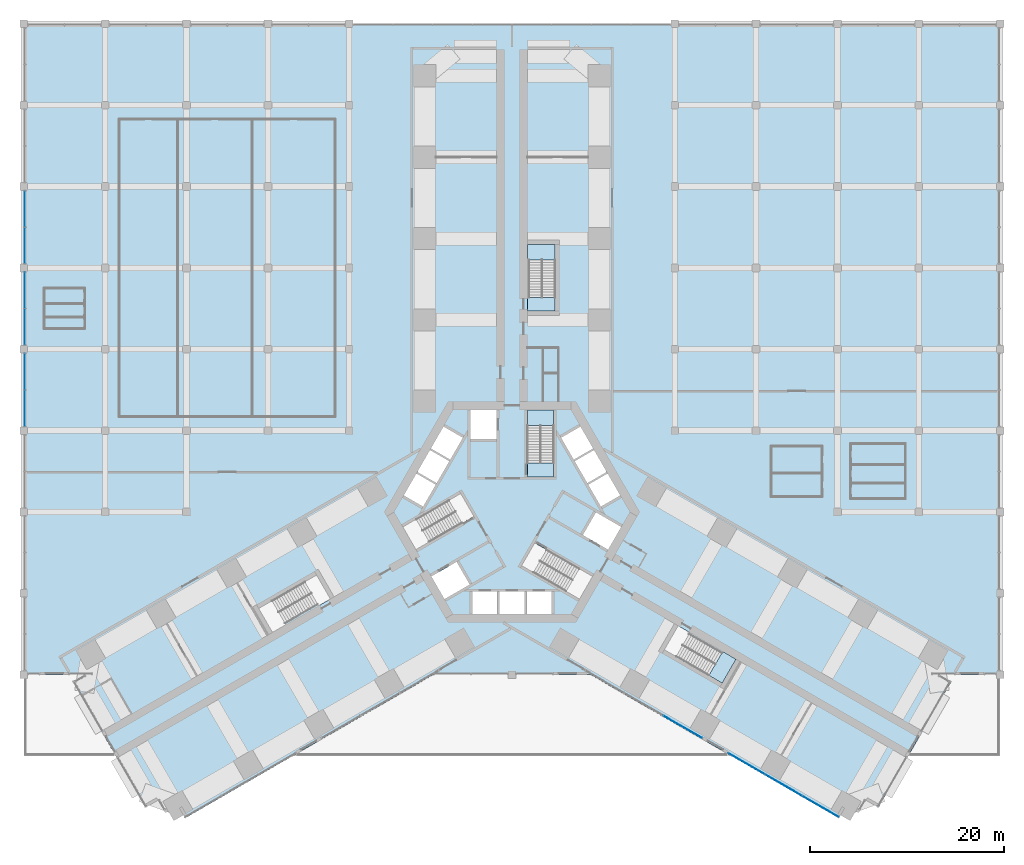
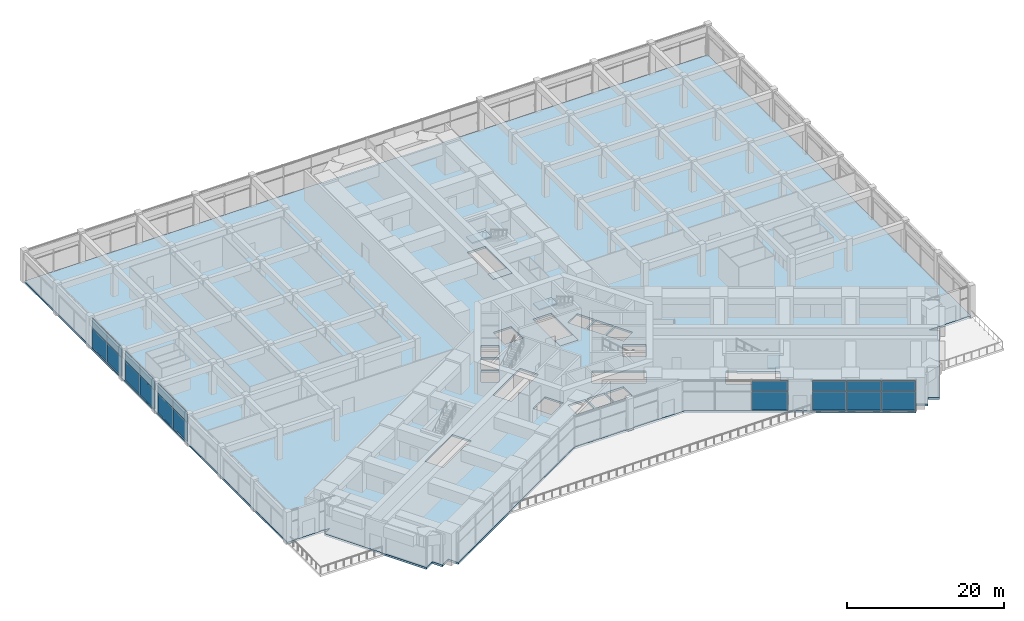
# One storey, part 24 of 34: 20 plates, 6 slabs, 8 elements without a shape of their own.
"""IFC4 building model written with IfcOpenShell, lengths in metres."""

from ifc_helpers import new_model, si_unit, direction, frame, origin, origin_2d, place, context, subcontext, project, spatial, polyline, rectangle, outline, extrude, material, layer, layer_set, type_object, element, aggregate, save


model = new_model("IFC4")

# Units and contexts
model_context = context("Model", 3, precision=1e-05, world=origin(), true_north=direction((0.0, 1.0)))
body_context = subcontext(model_context, "Body", "Model", "MODEL_VIEW")
ifc_project = project(units=[si_unit("LENGTHUNIT", "METRE"), si_unit("AREAUNIT", "SQUARE_METRE"), si_unit("VOLUMEUNIT", "CUBIC_METRE"), si_unit("PLANEANGLEUNIT", "RADIAN"), si_unit("MASSUNIT", "GRAM", prefix="KILO")], contexts=[model_context])

# Site, building, storey
site_placement = place(None, origin())
site = spatial("IfcSite", under=ifc_project, at=site_placement, CompositionType="ELEMENT")
building_placement = place(site_placement, origin())
building = spatial("IfcBuilding", under=site, at=building_placement, Name="Impinga Residences", CompositionType="ELEMENT")
storey_placement = place(building_placement, frame((0.0, 0.0, 16.0)))
storey = spatial("IfcBuildingStorey", under=building, at=storey_placement, Name="L03", CompositionType="ELEMENT", Elevation=16.0)

# Curtain wall, plates
ifc_material_1 = material(Name="Aluminium stick curtain wall", Category="aluminium")
curtain_wall_type = type_object("IfcCurtainWallType", Name="CW1 podium amenity curtain wall", PredefinedType="USERDEFINED", material=ifc_material_1)
curtain_wall_1_placement = place(storey_placement, origin())
curtain_wall_1 = element("IfcCurtainWall", 1, at=curtain_wall_1_placement, inside=storey, type_object=curtain_wall_type, Name="Curtain wall CW1 L03", ObjectType="STICK CURTAIN WALL", PredefinedType="USERDEFINED")
ifc_material_2 = material(Name="Clear double glazing", Category="glass")
ifc_layer_1 = layer(ifc_material_2, 0.028076171875)
ifc_layer_set_1 = layer_set([ifc_layer_1], Name="CW1-P clear double glazed panel 28")
plate_type = type_object("IfcPlateType", Name="CW1-P clear double glazed panel 28", PredefinedType="CURTAIN_PANEL", material=ifc_layer_set_1)
plate_1_placement = place(storey_placement, frame((-50.300048828125, 10.716552734375, 0.06005859375), z_axis=(0.0, 0.0, 1.0), x_axis=(0.0, 1.0, 0.0)))
plate_1 = element("IfcPlate", 2, at=plate_1_placement, type_object=plate_type, Name="CW1 panel 1.1", PredefinedType="CURTAIN_PANEL", context=body_context, shape_type="SweptSolid", body=[
    extrude(rectangle(XDim=3.70703125, YDim=0.028076171875, at=origin_2d()), origin(), (0.0, 0.0, 1.0), 2.909912109375),
])
plate_2_placement = place(storey_placement, frame((-50.300048828125, 10.716552734375, 3.02978515625), z_axis=(0.0, 0.0, 1.0), x_axis=(0.0, 1.0, 0.0)))
plate_2 = element("IfcPlate", 3, at=plate_2_placement, type_object=plate_type, Name="CW1 panel 1.2", PredefinedType="CURTAIN_PANEL", context=body_context, shape_type="SweptSolid", body=[
    extrude(rectangle(XDim=3.70703125, YDim=0.028076171875, at=origin_2d()), origin(), (0.0, 0.0, 1.0), 1.610107421875),
])
plate_3_placement = place(storey_placement, frame((-50.300048828125, 14.4833984375, 0.06005859375), z_axis=(0.0, 0.0, 1.0), x_axis=(0.0, 1.0, 0.0)))
plate_3 = element("IfcPlate", 4, at=plate_3_placement, type_object=plate_type, Name="CW1 panel 2.1", PredefinedType="CURTAIN_PANEL", context=body_context, shape_type="SweptSolid", body=[
    extrude(rectangle(XDim=3.70703125, YDim=0.028076171875, at=origin_2d()), origin(), (0.0, 0.0, 1.0), 2.909912109375),
])
plate_4_placement = place(storey_placement, frame((-50.300048828125, 14.4833984375, 3.02978515625), z_axis=(0.0, 0.0, 1.0), x_axis=(0.0, 1.0, 0.0)))
plate_4 = element("IfcPlate", 5, at=plate_4_placement, type_object=plate_type, Name="CW1 panel 2.2", PredefinedType="CURTAIN_PANEL", context=body_context, shape_type="SweptSolid", body=[
    extrude(rectangle(XDim=3.70703125, YDim=0.028076171875, at=origin_2d()), origin(), (0.0, 0.0, 1.0), 1.610107421875),
])
aggregate(curtain_wall_1, [plate_1, plate_2, plate_3, plate_4])

curtain_wall_2_placement = place(storey_placement, origin())
curtain_wall_2 = element("IfcCurtainWall", 6, at=curtain_wall_2_placement, inside=storey, type_object=curtain_wall_type, Name="Curtain wall CW1 L03", ObjectType="STICK CURTAIN WALL", PredefinedType="USERDEFINED")
plate_5_placement = place(storey_placement, frame((-50.300048828125, 19.116455078125, 0.06005859375), z_axis=(0.0, 0.0, 1.0), x_axis=(0.0, 1.0, 0.0)))
plate_5 = element("IfcPlate", 7, at=plate_5_placement, type_object=plate_type, Name="CW1 panel 1.1", PredefinedType="CURTAIN_PANEL", context=body_context, shape_type="SweptSolid", body=[
    extrude(rectangle(XDim=3.70703125, YDim=0.028076171875, at=origin_2d()), origin(), (0.0, 0.0, 1.0), 2.909912109375),
])
plate_6_placement = place(storey_placement, frame((-50.300048828125, 19.116455078125, 3.02978515625), z_axis=(0.0, 0.0, 1.0), x_axis=(0.0, 1.0, 0.0)))
plate_6 = element("IfcPlate", 8, at=plate_6_placement, type_object=plate_type, Name="CW1 panel 1.2", PredefinedType="CURTAIN_PANEL", context=body_context, shape_type="SweptSolid", body=[
    extrude(rectangle(XDim=3.70703125, YDim=0.028076171875, at=origin_2d()), origin(), (0.0, 0.0, 1.0), 1.610107421875),
])
plate_7_placement = place(storey_placement, frame((-50.300048828125, 22.883544921875, 0.06005859375), z_axis=(0.0, 0.0, 1.0), x_axis=(0.0, 1.0, 0.0)))
plate_7 = element("IfcPlate", 9, at=plate_7_placement, type_object=plate_type, Name="CW1 panel 2.1", PredefinedType="CURTAIN_PANEL", context=body_context, shape_type="SweptSolid", body=[
    extrude(rectangle(XDim=3.70703125, YDim=0.028076171875, at=origin_2d()), origin(), (0.0, 0.0, 1.0), 2.909912109375),
])
plate_8_placement = place(storey_placement, frame((-50.300048828125, 22.883544921875, 3.02978515625), z_axis=(0.0, 0.0, 1.0), x_axis=(0.0, 1.0, 0.0)))
plate_8 = element("IfcPlate", 10, at=plate_8_placement, type_object=plate_type, Name="CW1 panel 2.2", PredefinedType="CURTAIN_PANEL", context=body_context, shape_type="SweptSolid", body=[
    extrude(rectangle(XDim=3.70703125, YDim=0.028076171875, at=origin_2d()), origin(), (0.0, 0.0, 1.0), 1.610107421875),
])
aggregate(curtain_wall_2, [plate_5, plate_6, plate_7, plate_8])

curtain_wall_3_placement = place(storey_placement, origin())
curtain_wall_3 = element("IfcCurtainWall", 11, at=curtain_wall_3_placement, inside=storey, type_object=curtain_wall_type, Name="Curtain wall CW1 L03", ObjectType="STICK CURTAIN WALL", PredefinedType="USERDEFINED")
plate_9_placement = place(storey_placement, frame((-50.300048828125, 27.5166015625, 0.06005859375), z_axis=(0.0, 0.0, 1.0), x_axis=(0.0, 1.0, 0.0)))
plate_9 = element("IfcPlate", 12, at=plate_9_placement, type_object=plate_type, Name="CW1 panel 1.1", PredefinedType="CURTAIN_PANEL", context=body_context, shape_type="SweptSolid", body=[
    extrude(rectangle(XDim=3.70703125, YDim=0.028076171875, at=origin_2d()), origin(), (0.0, 0.0, 1.0), 2.909912109375),
])
plate_10_placement = place(storey_placement, frame((-50.300048828125, 27.5166015625, 3.02978515625), z_axis=(0.0, 0.0, 1.0), x_axis=(0.0, 1.0, 0.0)))
plate_10 = element("IfcPlate", 13, at=plate_10_placement, type_object=plate_type, Name="CW1 panel 1.2", PredefinedType="CURTAIN_PANEL", context=body_context, shape_type="SweptSolid", body=[
    extrude(rectangle(XDim=3.70703125, YDim=0.028076171875, at=origin_2d()), origin(), (0.0, 0.0, 1.0), 1.610107421875),
])
plate_11_placement = place(storey_placement, frame((-50.300048828125, 31.283447265625, 0.06005859375), z_axis=(0.0, 0.0, 1.0), x_axis=(0.0, 1.0, 0.0)))
plate_11 = element("IfcPlate", 14, at=plate_11_placement, type_object=plate_type, Name="CW1 panel 2.1", PredefinedType="CURTAIN_PANEL", context=body_context, shape_type="SweptSolid", body=[
    extrude(rectangle(XDim=3.70703125, YDim=0.028076171875, at=origin_2d()), origin(), (0.0, 0.0, 1.0), 2.909912109375),
])
plate_12_placement = place(storey_placement, frame((-50.300048828125, 31.283447265625, 3.02978515625), z_axis=(0.0, 0.0, 1.0), x_axis=(0.0, 1.0, 0.0)))
plate_12 = element("IfcPlate", 15, at=plate_12_placement, type_object=plate_type, Name="CW1 panel 2.2", PredefinedType="CURTAIN_PANEL", context=body_context, shape_type="SweptSolid", body=[
    extrude(rectangle(XDim=3.70703125, YDim=0.028076171875, at=origin_2d()), origin(), (0.0, 0.0, 1.0), 1.610107421875),
])
aggregate(curtain_wall_3, [plate_9, plate_10, plate_11, plate_12])

curtain_wall_4_placement = place(storey_placement, origin())
curtain_wall_4 = element("IfcCurtainWall", 16, at=curtain_wall_4_placement, inside=storey, type_object=curtain_wall_type, Name="Curtain wall CW1 L03", ObjectType="STICK CURTAIN WALL", PredefinedType="USERDEFINED")
plate_13_placement = place(storey_placement, frame((31.864501953125, -30.40576171875, 0.06005859375), z_axis=(0.0, 0.0, 1.0), x_axis=(-0.866025412354, 0.499999985157, 0.0)))
plate_13 = element("IfcPlate", 17, at=plate_13_placement, type_object=plate_type, Name="CW1 panel 1.1", PredefinedType="CURTAIN_PANEL", context=body_context, shape_type="SweptSolid", body=[
    extrude(rectangle(XDim=4.346435546875, YDim=0.028076171875, at=origin_2d()), origin(), (0.0, 0.0, 1.0), 2.909912109375),
])
plate_14_placement = place(storey_placement, frame((31.864501953125, -30.40576171875, 3.02978515625), z_axis=(0.0, 0.0, 1.0), x_axis=(-0.866025412354, 0.499999985157, 0.0)))
plate_14 = element("IfcPlate", 18, at=plate_14_placement, type_object=plate_type, Name="CW1 panel 1.2", PredefinedType="CURTAIN_PANEL", context=body_context, shape_type="SweptSolid", body=[
    extrude(rectangle(XDim=4.346435546875, YDim=0.028076171875, at=origin_2d()), origin(), (0.0, 0.0, 1.0), 1.610107421875),
])
plate_15_placement = place(storey_placement, frame((28.035400390625, -28.195068359375, 0.06005859375), z_axis=(0.0, 0.0, 1.0), x_axis=(-0.866025412354, 0.499999985157, 0.0)))
plate_15 = element("IfcPlate", 19, at=plate_15_placement, type_object=plate_type, Name="CW1 panel 2.1", PredefinedType="CURTAIN_PANEL", context=body_context, shape_type="SweptSolid", body=[
    extrude(rectangle(XDim=4.37646484375, YDim=0.028076171875, at=origin_2d()), origin(), (0.0, 0.0, 1.0), 2.909912109375),
])
plate_16_placement = place(storey_placement, frame((28.035400390625, -28.195068359375, 3.02978515625), z_axis=(0.0, 0.0, 1.0), x_axis=(-0.866025412354, 0.499999985157, 0.0)))
plate_16 = element("IfcPlate", 20, at=plate_16_placement, type_object=plate_type, Name="CW1 panel 2.2", PredefinedType="CURTAIN_PANEL", context=body_context, shape_type="SweptSolid", body=[
    extrude(rectangle(XDim=4.37646484375, YDim=0.028076171875, at=origin_2d()), origin(), (0.0, 0.0, 1.0), 1.610107421875),
])
plate_17_placement = place(storey_placement, frame((24.20654296875, -25.984619140625, 0.06005859375), z_axis=(0.0, 0.0, 1.0), x_axis=(-0.866025412354, 0.499999985157, 0.0)))
plate_17 = element("IfcPlate", 21, at=plate_17_placement, type_object=plate_type, Name="CW1 panel 3.1", PredefinedType="CURTAIN_PANEL", context=body_context, shape_type="SweptSolid", body=[
    extrude(rectangle(XDim=4.346435546875, YDim=0.028076171875, at=origin_2d()), origin(), (0.0, 0.0, 1.0), 2.909912109375),
])
plate_18_placement = place(storey_placement, frame((24.20654296875, -25.984619140625, 3.02978515625), z_axis=(0.0, 0.0, 1.0), x_axis=(-0.866025412354, 0.499999985157, 0.0)))
plate_18 = element("IfcPlate", 22, at=plate_18_placement, type_object=plate_type, Name="CW1 panel 3.2", PredefinedType="CURTAIN_PANEL", context=body_context, shape_type="SweptSolid", body=[
    extrude(rectangle(XDim=4.346435546875, YDim=0.028076171875, at=origin_2d()), origin(), (0.0, 0.0, 1.0), 1.610107421875),
])
aggregate(curtain_wall_4, [plate_13, plate_14, plate_15, plate_16, plate_17, plate_18])

curtain_wall_5_placement = place(storey_placement, origin())
curtain_wall_5 = element("IfcCurtainWall", 23, at=curtain_wall_5_placement, inside=storey, type_object=curtain_wall_type, Name="Curtain wall CW1 L03", ObjectType="STICK CURTAIN WALL", PredefinedType="USERDEFINED")
plate_19_placement = place(storey_placement, frame((17.6328125, -22.189208984375, 0.06005859375), z_axis=(0.0, 0.0, 1.0), x_axis=(-0.866025380702, 0.500000039979, 0.0)))
plate_19 = element("IfcPlate", 24, at=plate_19_placement, type_object=plate_type, Name="CW1 panel 1.1", PredefinedType="CURTAIN_PANEL", context=body_context, shape_type="SweptSolid", body=[
    extrude(rectangle(XDim=4.59521484375, YDim=0.028076171875, at=origin_2d()), origin(), (0.0, 0.0, 1.0), 2.909912109375),
])
plate_20_placement = place(storey_placement, frame((17.6328125, -22.189208984375, 3.02978515625), z_axis=(0.0, 0.0, 1.0), x_axis=(-0.866025380702, 0.500000039979, 0.0)))
plate_20 = element("IfcPlate", 25, at=plate_20_placement, type_object=plate_type, Name="CW1 panel 1.2", PredefinedType="CURTAIN_PANEL", context=body_context, shape_type="SweptSolid", body=[
    extrude(rectangle(XDim=4.59521484375, YDim=0.028076171875, at=origin_2d()), origin(), (0.0, 0.0, 1.0), 1.610107421875),
])
aggregate(curtain_wall_5, [plate_19, plate_20])

# Slab
ifc_material_3 = material(Name="Concrete C60/75", Category="concrete")
ifc_layer_2 = layer(ifc_material_3, 0.300048828125)
ifc_layer_set_2 = layer_set([ifc_layer_2], Name="Concrete C60/75")
slab_type_1 = type_object("IfcSlabType", Name="FS2 podium, plant and crown floor slab 300", PredefinedType="FLOOR", material=ifc_layer_set_2)
slab_1_placement = place(storey_placement, frame((0.0, 0.0, -0.300048828125)))
element("IfcSlab", 26, at=slab_1_placement, inside=storey, type_object=slab_type_1, Name="Floor slab FS2 L03", PredefinedType="FLOOR", context=body_context, shape_type="SweptSolid", body=[
    extrude(outline(polyline([(-35.797607421875, -31.06005859375), (-36.547607421875, -29.760986328125), (-37.846435546875, -30.510986328125), (-45.346435546875, -17.5205078125), (-44.098388671875, -16.800048828125), (-50.39990234375, -16.800048828125), (-50.39990234375, 50.39990234375), (50.39990234375, 50.39990234375), (50.39990234375, -16.800048828125), (44.098388671875, -16.800048828125), (45.346435546875, -17.5205078125), (37.846435546875, -30.510986328125), (36.547607421875, -29.760986328125), (35.797607421875, -31.06005859375), (34.49853515625, -30.31005859375), (33.74853515625, -31.609130859375), (8.098388671875, -16.800048828125), (-8.098388671875, -16.800048828125), (-33.74853515625, -31.609130859375), (-34.49853515625, -30.31005859375), (-35.797607421875, -31.06005859375)]), holes=[polyline([(-21.391357421875, -7.2119140625), (-26.154541015625, -9.9619140625), (-24.8046875, -12.30029296875), (-20.04150390625, -9.55029296875), (-19.966552734375, -9.68017578125), (-18.754150390625, -8.980224609375), (-18.8291015625, -8.850341796875), (-18.8291015625, -8.850341796875), (-20.178955078125, -6.511962890625), (-21.391357421875, -7.2119140625), (-21.391357421875, -7.2119140625)]), polyline([(-1.5, -8.2314453125), (-4.10009765625, -8.2314453125), (-4.10009765625, -10.531494140625), (-1.5, -10.531494140625), (-1.5, -8.2314453125)]), polyline([(1.300048828125, -8.2314453125), (-1.300048828125, -8.2314453125), (-1.300048828125, -10.531494140625), (1.300048828125, -10.531494140625), (1.300048828125, -8.2314453125)]), polyline([(1.5, -8.2314453125), (1.5, -10.531494140625), (4.10009765625, -10.531494140625), (4.10009765625, -8.2314453125), (1.5, -8.2314453125)]), polyline([(-5.72119140625, -5.150634765625), (-8.320556640625, -6.6513671875), (-6.970458984375, -8.98974609375), (-4.37109375, -7.489013671875), (-5.72119140625, -5.150634765625)]), polyline([(-3.943603515625, -0.429443359375), (-5.293701171875, 1.908935546875), (-11.2705078125, -1.541748046875), (-9.920654296875, -3.880126953125), (-3.943603515625, -0.429443359375)]), polyline([(-9.1787109375, 0.56494140625), (-7.878662109375, 2.816650390625), (-9.87060546875, 3.966796875), (-11.170654296875, 1.715087890625), (-9.1787109375, 0.56494140625)]), polyline([(-6.478759765625, 5.24169921875), (-8.470458984375, 6.3916015625), (-9.7705078125, 4.139892578125), (-7.77880859375, 2.989990234375), (-6.478759765625, 5.24169921875)]), polyline([(-6.378662109375, 5.414794921875), (-5.07861328125, 7.66650390625), (-7.070556640625, 8.81640625), (-8.37060546875, 6.564697265625), (-6.378662109375, 5.414794921875)]), polyline([(-4.300048828125, 7.530029296875), (-1.60009765625, 7.530029296875), (-1.60009765625, 10.531494140625), (-4.300048828125, 10.531494140625), (-4.300048828125, 7.530029296875)]), polyline([(15.72900390625, -14.219482421875), (21.70458984375, -17.669677734375), (23.0546875, -15.331298828125), (18.29150390625, -12.581298828125), (18.366455078125, -12.451416015625), (17.154052734375, -11.75146484375), (15.72900390625, -14.219482421875)]), polyline([(0.99365234375, -5.538818359375), (6.970458984375, -8.98974609375), (8.320556640625, -6.6513671875), (2.34375, -3.20068359375), (0.99365234375, -5.538818359375)]), polyline([(8.671142578125, -0.041015625), (7.3212890625, -2.37939453125), (9.920654296875, -3.880126953125), (11.2705078125, -1.541748046875), (8.671142578125, -0.041015625)]), polyline([(7.878662109375, 2.816650390625), (9.1787109375, 0.56494140625), (11.170654296875, 1.715087890625), (9.87060546875, 3.966796875), (7.878662109375, 2.816650390625)]), polyline([(7.77880859375, 2.989990234375), (9.7705078125, 4.139892578125), (8.470458984375, 6.3916015625), (6.478759765625, 5.24169921875), (7.77880859375, 2.989990234375)]), polyline([(1.60009765625, 3.6298828125), (4.300048828125, 3.6298828125), (4.300048828125, 10.531494140625), (1.60009765625, 10.531494140625), (1.60009765625, 3.6298828125)]), polyline([(5.07861328125, 7.66650390625), (6.378662109375, 5.414794921875), (8.37060546875, 6.564697265625), (7.070556640625, 8.81640625), (5.07861328125, 7.66650390625)]), polyline([(1.75, 22.131591796875), (1.60009765625, 22.131591796875), (1.60009765625, 20.7314453125), (1.75, 20.7314453125), (4.449951171875, 20.7314453125), (4.449951171875, 22.131591796875), (4.449951171875, 27.631591796875), (1.75, 27.631591796875), (1.75, 22.131591796875)])]), origin(), (0.0, 0.0, 1.0), 0.300048828125),
])

# Stair, slabs
ifc_material_4 = material(Name="Concrete C40/50", Category="concrete")
stair_type_1 = type_object("IfcStairType", Name="STR core stair 5000 storey, 30 risers", PredefinedType="HALF_TURN_STAIR", material=ifc_material_4)
stair_1_placement = place(storey_placement, origin())
stair_1 = element("IfcStair", 27, at=stair_1_placement, inside=storey, type_object=stair_type_1, Name="Stair ST1 L03", PredefinedType="HALF_TURN_STAIR")
ifc_layer_3 = layer(ifc_material_4, 0.199951171875)
ifc_layer_set_3 = layer_set([ifc_layer_3], Name="Concrete C40/50")
slab_type_2 = type_object("IfcSlabType", Name="LS1 stair landing 200", PredefinedType="LANDING", material=ifc_layer_set_3)
slab_2_placement = place(storey_placement, frame((0.0, 0.0, -0.199951171875)))
slab_2 = element("IfcSlab", 28, at=slab_2_placement, type_object=slab_type_2, Name="ST1 landing 1", PredefinedType="LANDING", context=body_context, shape_type="SweptSolid", body=[
    extrude(outline(polyline([(1.60009765625, 3.6298828125), (4.300048828125, 3.6298828125), (4.300048828125, 5.0400390625), (1.60009765625, 5.0400390625), (1.60009765625, 3.6298828125)])), origin(), (0.0, 0.0, 1.0), 0.199951171875),
])
slab_3_placement = place(storey_placement, frame((0.0, 0.0, 2.300048828125)))
slab_3 = element("IfcSlab", 29, at=slab_3_placement, type_object=slab_type_2, Name="ST1 landing 2", PredefinedType="LANDING", context=body_context, shape_type="SweptSolid", body=[
    extrude(outline(polyline([(1.60009765625, 8.93994140625), (4.300048828125, 8.93994140625), (4.300048828125, 10.531494140625), (1.60009765625, 10.531494140625), (1.60009765625, 8.93994140625)])), origin(), (0.0, 0.0, 1.0), 0.199951171875),
])
aggregate(stair_1, [slab_2, slab_3])

stair_type_2 = type_object("IfcStairType", Name="STR wing stair 5000 storey, 30 risers", PredefinedType="HALF_TURN_STAIR", material=ifc_material_4)
stair_2_placement = place(storey_placement, origin())
stair_2 = element("IfcStair", 30, at=stair_2_placement, inside=storey, type_object=stair_type_2, Name="Stair WS1 L03", PredefinedType="HALF_TURN_STAIR")
slab_4_placement = place(storey_placement, frame((0.0, 0.0, -0.199951171875)))
slab_4 = element("IfcSlab", 31, at=slab_4_placement, type_object=slab_type_2, Name="WS1 landing 1", PredefinedType="LANDING", context=body_context, shape_type="SweptSolid", body=[
    extrude(outline(polyline([(1.60009765625, 20.7314453125), (4.449951171875, 20.7314453125), (4.449951171875, 22.1416015625), (1.60009765625, 22.1416015625), (1.60009765625, 20.7314453125)])), origin(), (0.0, 0.0, 1.0), 0.199951171875),
])
slab_5_placement = place(storey_placement, frame((0.0, 0.0, 2.300048828125)))
slab_5 = element("IfcSlab", 32, at=slab_5_placement, type_object=slab_type_2, Name="WS1 landing 2", PredefinedType="LANDING", context=body_context, shape_type="SweptSolid", body=[
    extrude(outline(polyline([(1.60009765625, 26.04150390625), (4.449951171875, 26.04150390625), (4.449951171875, 27.631591796875), (1.60009765625, 27.631591796875), (1.60009765625, 26.04150390625)])), origin(), (0.0, 0.0, 1.0), 0.199951171875),
])
aggregate(stair_2, [slab_4, slab_5])

# Stair, slab
stair_3_placement = place(storey_placement, origin())
stair_3 = element("IfcStair", 33, at=stair_3_placement, inside=storey, type_object=stair_type_2, Name="Stair WS3 L03", PredefinedType="HALF_TURN_STAIR")
slab_6_placement = place(storey_placement, frame((0.0, 0.0, 2.300048828125)))
slab_6 = element("IfcSlab", 34, at=slab_6_placement, type_object=slab_type_2, Name="WS3 landing 2", PredefinedType="LANDING", context=body_context, shape_type="SweptSolid", body=[
    extrude(outline(polyline([(21.752685546875, -14.406494140625), (20.32763671875, -16.87451171875), (21.70458984375, -17.669677734375), (23.129638671875, -15.201416015625), (21.752685546875, -14.406494140625)])), origin(), (0.0, 0.0, 1.0), 0.199951171875),
])
aggregate(stair_3, [slab_6])

save(model, "model.ifc")
